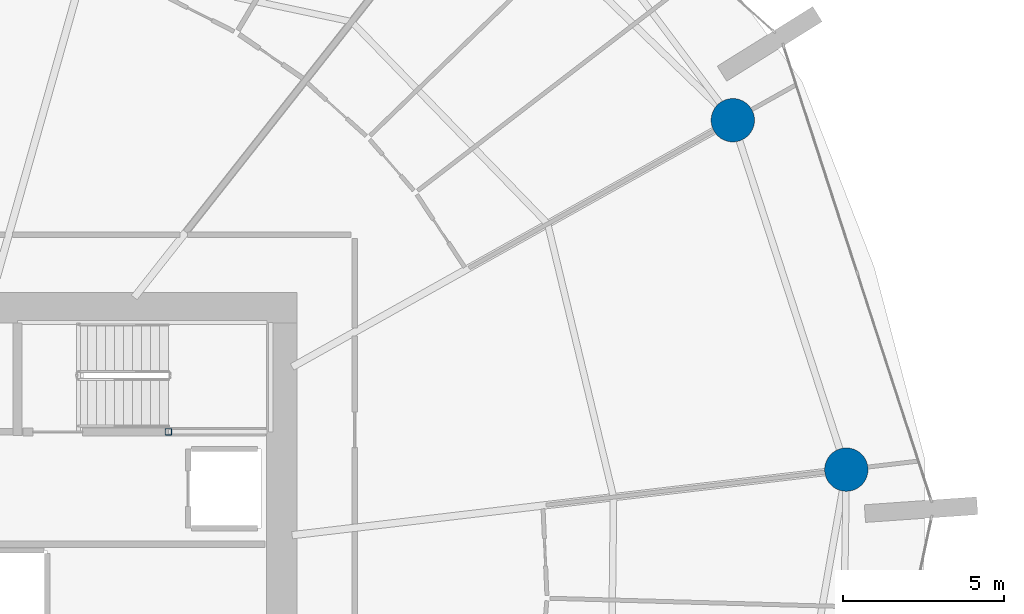
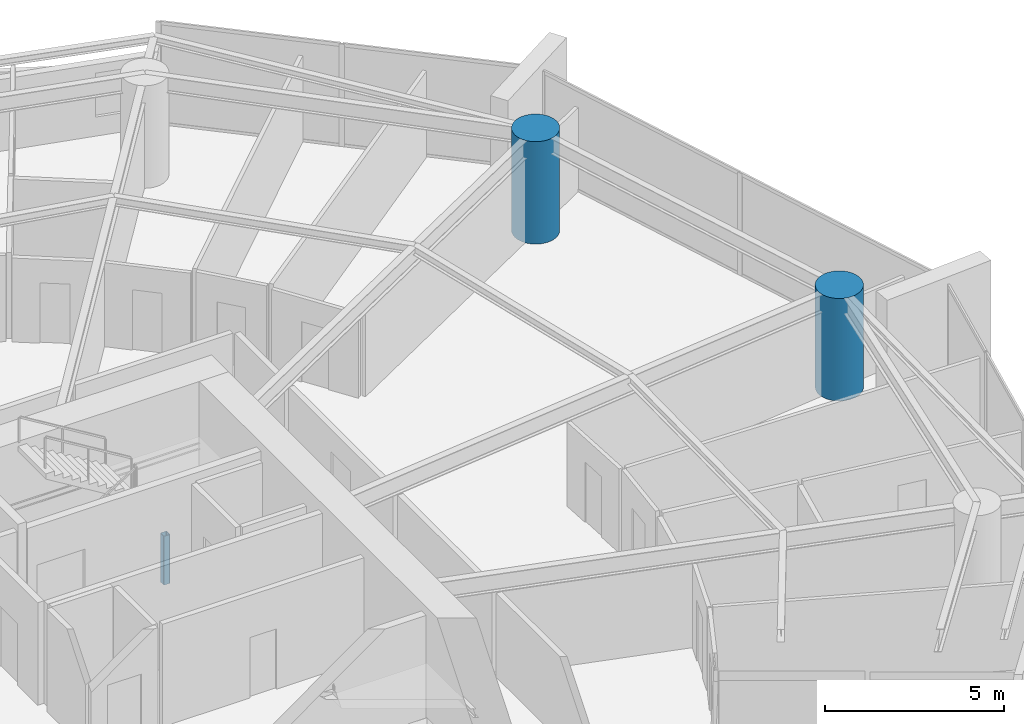
# One storey, part 5 of 31: 3 columns.
"""IFC4 building model written with IfcOpenShell, lengths in metres."""

from ifc_helpers import new_model, si_unit, direction, frame, origin, origin_2d, place, context, subcontext, project, spatial, hollow_rectangle, circle, extrude, material, material_profile, profile_set, type_object, element, save


model = new_model("IFC4")

# Units and contexts
model_context = context("Model", 3, precision=1e-05, world=origin(), true_north=direction((0.0, 1.0)))
body_context = subcontext(model_context, "Body", "Model", "MODEL_VIEW")
ifc_project = project(units=[si_unit("LENGTHUNIT", "METRE"), si_unit("AREAUNIT", "SQUARE_METRE"), si_unit("VOLUMEUNIT", "CUBIC_METRE"), si_unit("PLANEANGLEUNIT", "RADIAN"), si_unit("MASSUNIT", "GRAM", prefix="KILO")], contexts=[model_context])

# Site, building, storey
site_placement = place(None, origin())
site = spatial("IfcSite", under=ifc_project, at=site_placement, CompositionType="ELEMENT")
building_placement = place(site_placement, origin())
building = spatial("IfcBuilding", under=site, at=building_placement, Name="Kazma Halo Residences", CompositionType="ELEMENT")
storey_placement = place(building_placement, frame((0.0, 0.0, 52.64990234375)))
storey = spatial("IfcBuildingStorey", under=building, at=storey_placement, Name="L12", CompositionType="ELEMENT", Elevation=52.64990234375)

# Columns
ifc_material_1 = material(Name="Steel S355", Category="steel")
ifc_material_profile_1 = material_profile(ifc_material_1, hollow_rectangle(XDim=0.199951171875, YDim=0.199951171875, WallThickness=0.010009765625, InnerFilletRadius=0.010009765625, OuterFilletRadius=0.02001953125, at=origin_2d()), Name="SHS200x200x10")
ifc_profile_set_1 = profile_set([ifc_material_profile_1], Name="Steel S355")
column_type_1 = type_object("IfcColumnType", Name="COL-LP-SHS200", PredefinedType="COLUMN", material=ifc_profile_set_1)
column_placement = place(storey_placement, frame((56.0, 46.6201171875, 0.0), z_axis=(0.0, 0.0, 1.0), x_axis=(1.0, 0.0, 0.0)))
element("IfcColumn", 1, at=column_placement, inside=storey, type_object=column_type_1, Name="L12 ST-02 landing pilaster 1", PredefinedType="COLUMN", context=body_context, shape_type="SweptSolid", body=[
    extrude(hollow_rectangle(XDim=0.199951171875, YDim=0.199951171875, WallThickness=0.010009765625, InnerFilletRadius=0.010009765625, OuterFilletRadius=0.02001953125, at=origin_2d()), origin(), (0.0, 0.0, 1.0), 1.670166015625),
])
ifc_material_2 = material(Name="Concrete C80/95", Category="concrete")
ifc_material_profile_2 = material_profile(ifc_material_2, circle(Radius=0.675048828125, at=origin_2d()), Name="CIRC1350")
ifc_profile_set_2 = profile_set([ifc_material_profile_2], Name="Concrete C80/95")
column_type_2 = type_object("IfcColumnType", Name="COL-PERIM-1350", PredefinedType="COLUMN", material=ifc_profile_set_2)
for number, where, z_axis, x_axis, name in (
    (2, (73.56494140625, 56.317138671875, 0.0), (0.0, 0.0, 1.0), (1.0, 0.0, 0.0), "L12 perimeter ring column P01"),
    (3, (77.097900390625, 45.444091796875, 0.0), (0.0, 0.0, 1.0), (1.0, 0.0, 0.0), "L12 perimeter ring column P16"),
):
    element("IfcColumn", number, at=place(storey_placement, frame(where, z_axis=z_axis, x_axis=x_axis)), inside=storey, type_object=column_type_2, Name=name, PredefinedType="COLUMN", context=body_context, shape_type="SweptSolid", body=[
        extrude(circle(Radius=0.675048828125, at=origin_2d()), origin(), (0.0, 0.0, 1.0), 3.5),
    ])

save(model, "model.ifc")
